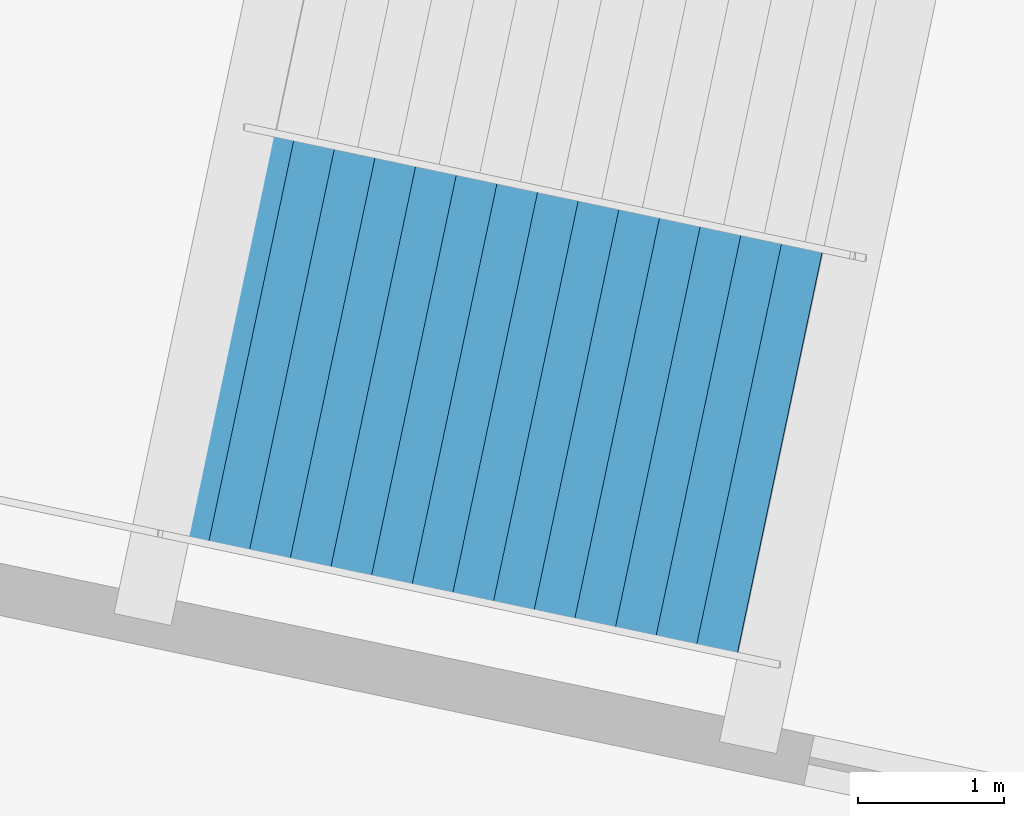
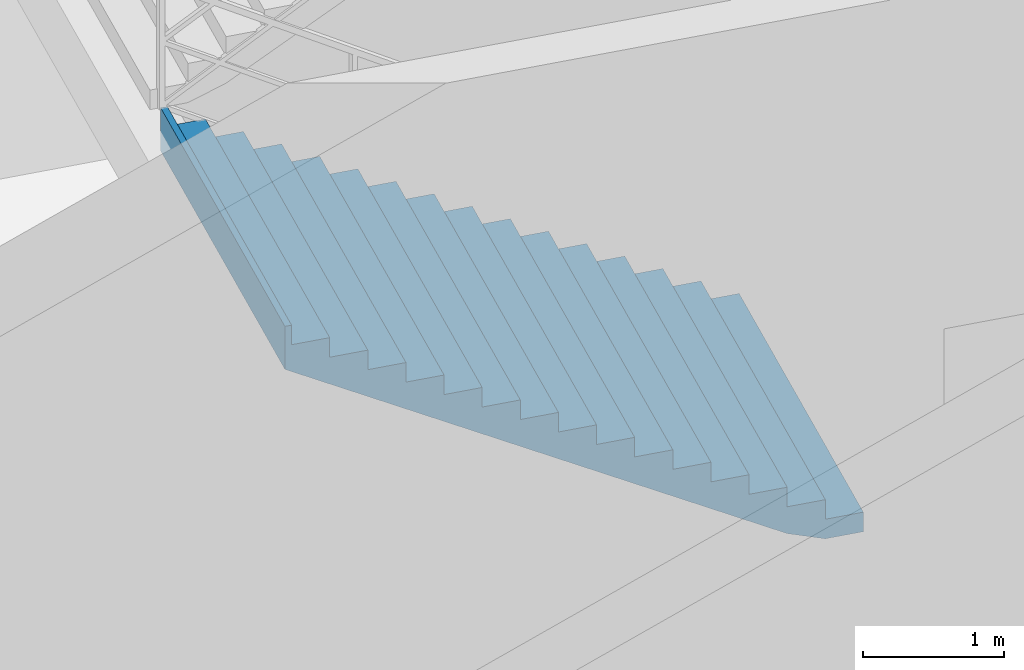
# One storey, part 41 of 49: 1 stair flight, 1 element without a shape of its own.
"""IFC4 building model written with IfcOpenShell, lengths in metres."""

from ifc_helpers import new_model, si_unit, direction, frame, origin, place, context, subcontext, project, spatial, polygons, material, type_object, element, aggregate, save


model = new_model("IFC4")

# Units and contexts
model_context = context("Model", 3, precision=1e-05, world=origin(), true_north=direction((0.0, 1.0)))
body_context = subcontext(model_context, "Body", "Model", "MODEL_VIEW")
ifc_project = project(units=[si_unit("LENGTHUNIT", "METRE"), si_unit("AREAUNIT", "SQUARE_METRE"), si_unit("VOLUMEUNIT", "CUBIC_METRE"), si_unit("PLANEANGLEUNIT", "RADIAN"), si_unit("MASSUNIT", "GRAM", prefix="KILO")], contexts=[model_context])

# Site, building, storey
site_placement = place(None, origin())
site = spatial("IfcSite", under=ifc_project, at=site_placement, CompositionType="ELEMENT")
building_placement = place(site_placement, origin())
building = spatial("IfcBuilding", under=site, at=building_placement, Name="Kazemori Nagisa Stadium", CompositionType="ELEMENT")
storey_placement = place(building_placement, frame((0.0, 0.0, -5.43994140625)))
storey = spatial("IfcBuildingStorey", under=building, at=storey_placement, Name="B1", CompositionType="ELEMENT", Elevation=-5.43994140625)

# Stair, stair flight
ifc_material = material(Name="Concrete C36/45 (Fc36)", Category="concrete")
stair_type = type_object("IfcStairType", Name="Stair_CORE_32", PredefinedType="TWO_STRAIGHT_RUN_STAIR", material=ifc_material)
stair_placement = place(storey_placement, origin())
stair = element("IfcStair", 1, at=stair_placement, inside=storey, type_object=stair_type, Name="Exit stair ST11 B1", PredefinedType="TWO_STRAIGHT_RUN_STAIR")
stair_flight_type = type_object("IfcStairFlightType", Name="Flight_CORE_16", PredefinedType="STRAIGHT", material=ifc_material)
stair_flight_placement = place(storey_placement, frame((158.251953125, 176.464111328125, 0.0), z_axis=(0.0, 0.0, 1.0), x_axis=(-0.97834814647, 0.206965949612, 0.0)))
stair_flight = element("IfcStairFlight", 2, at=stair_flight_placement, type_object=stair_flight_type, Name="Exit stair ST11 B1 flight 1", NumberOfRisers=16, NumberOfTreads=15, PredefinedType="STRAIGHT", RiserHeight=0.17, TreadLength=0.285, context=body_context, shape_type="Tessellation", body=[
    polygons([(0.0, -1.425048828125, 0.0), (0.0, -1.425048828125, 0.169921875), (0.284912109375, -1.425048828125, 0.169921875), (0.284912109375, -1.425048828125, 0.340087890625), (0.570068359375, -1.425048828125, 0.340087890625), (0.570068359375, -1.425048828125, 0.510009765625), (0.85498046875, -1.425048828125, 0.510009765625), (0.85498046875, -1.425048828125, 0.679931640625), (1.139892578125, -1.425048828125, 0.679931640625), (1.139892578125, -1.425048828125, 0.85009765625), (1.425048828125, -1.425048828125, 0.85009765625), (1.425048828125, -1.425048828125, 1.02001953125), (1.7099609375, -1.425048828125, 1.02001953125), (1.7099609375, -1.425048828125, 1.18994140625), (1.9951171875, -1.425048828125, 1.18994140625), (1.9951171875, -1.425048828125, 1.360107421875), (2.280029296875, -1.425048828125, 1.360107421875), (2.280029296875, -1.425048828125, 1.530029296875), (2.56494140625, -1.425048828125, 1.530029296875), (2.56494140625, -1.425048828125, 1.699951171875), (2.85009765625, -1.425048828125, 1.699951171875), (2.85009765625, -1.425048828125, 1.8701171875), (3.135009765625, -1.425048828125, 1.8701171875), (3.135009765625, -1.425048828125, 2.0400390625), (3.419921875, -1.425048828125, 2.0400390625), (3.419921875, -1.425048828125, 2.2099609375), (3.705078125, -1.425048828125, 2.2099609375), (3.705078125, -1.425048828125, 2.3798828125), (3.989990234375, -1.425048828125, 2.3798828125), (3.989990234375, -1.425048828125, 2.550048828125), (4.27490234375, -1.425048828125, 2.550048828125), (4.27490234375, -1.425048828125, 2.719970703125), (4.324951171875, -1.425048828125, 2.719970703125), (4.324951171875, -1.425048828125, 2.346923828125), (4.27490234375, -1.425048828125, 2.317138671875), (3.989990234375, -1.425048828125, 2.147216796875), (3.705078125, -1.425048828125, 1.977294921875), (3.419921875, -1.425048828125, 1.80712890625), (3.135009765625, -1.425048828125, 1.63720703125), (2.85009765625, -1.425048828125, 1.46728515625), (2.56494140625, -1.425048828125, 1.297119140625), (2.280029296875, -1.425048828125, 1.127197265625), (1.9951171875, -1.425048828125, 0.957275390625), (1.7099609375, -1.425048828125, 0.787109375), (1.425048828125, -1.425048828125, 0.6171875), (1.139892578125, -1.425048828125, 0.447265625), (0.85498046875, -1.425048828125, 0.277099609375), (0.570068359375, -1.425048828125, 0.107177734375), (0.284912109375, -1.425048828125, 0.0), (0.0, -0.08544921875, 0.0), (0.0, -0.08544921875, 0.169921875), (0.284912109375, -0.08544921875, 0.169921875), (0.284912109375, -0.08544921875, 0.340087890625), (0.570068359375, -0.08544921875, 0.340087890625), (0.570068359375, -0.08544921875, 0.510009765625), (0.85498046875, -0.08544921875, 0.510009765625), (0.85498046875, -0.08544921875, 0.679931640625), (1.139892578125, -0.08544921875, 0.679931640625), (1.139892578125, -0.08544921875, 0.85009765625), (1.425048828125, -0.08544921875, 0.85009765625), (1.425048828125, -0.08544921875, 1.02001953125), (1.7099609375, -0.08544921875, 1.02001953125), (1.7099609375, -0.08544921875, 1.18994140625), (1.9951171875, -0.08544921875, 1.18994140625), (1.9951171875, -0.08544921875, 1.360107421875), (2.280029296875, -0.08544921875, 1.360107421875), (2.280029296875, -0.08544921875, 1.530029296875), (2.56494140625, -0.08544921875, 1.530029296875), (2.56494140625, -0.08544921875, 1.699951171875), (2.85009765625, -0.08544921875, 1.699951171875), (2.85009765625, -0.08544921875, 1.8701171875), (3.135009765625, -0.08544921875, 1.8701171875), (3.135009765625, -0.08544921875, 2.0400390625), (3.419921875, -0.08544921875, 2.0400390625), (3.419921875, -0.08544921875, 2.2099609375), (3.705078125, -0.08544921875, 2.2099609375), (3.705078125, -0.08544921875, 2.3798828125), (3.989990234375, -0.08544921875, 2.3798828125), (3.989990234375, -0.08544921875, 2.550048828125), (4.27490234375, -0.08544921875, 2.550048828125), (4.27490234375, -0.08544921875, 2.719970703125), (4.324951171875, -0.08544921875, 2.719970703125), (4.324951171875, -0.08544921875, 2.346923828125), (4.27490234375, -0.08544921875, 2.317138671875), (3.989990234375, -0.08544921875, 2.147216796875), (3.705078125, -0.08544921875, 1.977294921875), (3.419921875, -0.08544921875, 1.80712890625), (3.135009765625, -0.08544921875, 1.63720703125), (2.85009765625, -0.08544921875, 1.46728515625), (2.56494140625, -0.08544921875, 1.297119140625), (2.280029296875, -0.08544921875, 1.127197265625), (1.9951171875, -0.08544921875, 0.957275390625), (1.7099609375, -0.08544921875, 0.787109375), (1.425048828125, -0.08544921875, 0.6171875), (1.139892578125, -0.08544921875, 0.447265625), (0.85498046875, -0.08544921875, 0.277099609375), (0.570068359375, -0.08544921875, 0.107177734375), (0.284912109375, -0.08544921875, 0.0), (0.0, 0.0, 0.0), (0.0, 0.0, 0.169921875), (0.284912109375, 0.0, 0.169921875), (0.284912109375, 0.0, 0.340087890625), (0.570068359375, 0.0, 0.340087890625), (0.570068359375, 0.0, 0.510009765625), (0.85498046875, 0.0, 0.510009765625), (0.85498046875, 0.0, 0.679931640625), (1.139892578125, 0.0, 0.679931640625), (1.139892578125, 0.0, 0.85009765625), (1.425048828125, 0.0, 0.85009765625), (1.425048828125, 0.0, 1.02001953125), (1.7099609375, 0.0, 1.02001953125), (1.7099609375, 0.0, 1.18994140625), (1.9951171875, 0.0, 1.18994140625), (1.9951171875, 0.0, 1.360107421875), (2.280029296875, 0.0, 1.360107421875), (2.280029296875, 0.0, 1.530029296875), (2.56494140625, 0.0, 1.530029296875), (2.56494140625, 0.0, 1.699951171875), (2.85009765625, 0.0, 1.699951171875), (2.85009765625, 0.0, 1.8701171875), (3.135009765625, 0.0, 1.8701171875), (3.135009765625, 0.0, 2.0400390625), (3.419921875, 0.0, 2.0400390625), (3.419921875, 0.0, 2.2099609375), (3.705078125, 0.0, 2.2099609375), (3.705078125, 0.0, 2.3798828125), (3.989990234375, 0.0, 2.3798828125), (3.989990234375, 0.0, 2.550048828125), (4.27490234375, 0.0, 2.550048828125), (4.27490234375, 0.0, 2.719970703125), (4.324951171875, 0.0, 2.719970703125), (4.324951171875, 0.0, 2.346923828125), (4.27490234375, 0.0, 2.317138671875), (3.989990234375, 0.0, 2.147216796875), (3.705078125, 0.0, 1.977294921875), (3.419921875, 0.0, 1.80712890625), (3.135009765625, 0.0, 1.63720703125), (2.85009765625, 0.0, 1.46728515625), (2.56494140625, 0.0, 1.297119140625), (2.280029296875, 0.0, 1.127197265625), (1.9951171875, 0.0, 0.957275390625), (1.7099609375, 0.0, 0.787109375), (1.425048828125, 0.0, 0.6171875), (1.139892578125, 0.0, 0.447265625), (0.85498046875, 0.0, 0.277099609375), (0.570068359375, 0.0, 0.107177734375), (0.284912109375, 0.0, 0.0), (0.0, 0.08544921875, 0.0), (0.0, 0.08544921875, 0.169921875), (0.284912109375, 0.08544921875, 0.169921875), (0.284912109375, 0.08544921875, 0.340087890625), (0.570068359375, 0.08544921875, 0.340087890625), (0.570068359375, 0.08544921875, 0.510009765625), (0.85498046875, 0.08544921875, 0.510009765625), (0.85498046875, 0.08544921875, 0.679931640625), (1.139892578125, 0.08544921875, 0.679931640625), (1.139892578125, 0.08544921875, 0.85009765625), (1.425048828125, 0.08544921875, 0.85009765625), (1.425048828125, 0.08544921875, 1.02001953125), (1.7099609375, 0.08544921875, 1.02001953125), (1.7099609375, 0.08544921875, 1.18994140625), (1.9951171875, 0.08544921875, 1.18994140625), (1.9951171875, 0.08544921875, 1.360107421875), (2.280029296875, 0.08544921875, 1.360107421875), (2.280029296875, 0.08544921875, 1.530029296875), (2.56494140625, 0.08544921875, 1.530029296875), (2.56494140625, 0.08544921875, 1.699951171875), (2.85009765625, 0.08544921875, 1.699951171875), (2.85009765625, 0.08544921875, 1.8701171875), (3.135009765625, 0.08544921875, 1.8701171875), (3.135009765625, 0.08544921875, 2.0400390625), (3.419921875, 0.08544921875, 2.0400390625), (3.419921875, 0.08544921875, 2.2099609375), (3.705078125, 0.08544921875, 2.2099609375), (3.705078125, 0.08544921875, 2.3798828125), (3.989990234375, 0.08544921875, 2.3798828125), (3.989990234375, 0.08544921875, 2.550048828125), (4.27490234375, 0.08544921875, 2.550048828125), (4.27490234375, 0.08544921875, 2.719970703125), (4.324951171875, 0.08544921875, 2.719970703125), (4.324951171875, 0.08544921875, 2.346923828125), (4.27490234375, 0.08544921875, 2.317138671875), (3.989990234375, 0.08544921875, 2.147216796875), (3.705078125, 0.08544921875, 1.977294921875), (3.419921875, 0.08544921875, 1.80712890625), (3.135009765625, 0.08544921875, 1.63720703125), (2.85009765625, 0.08544921875, 1.46728515625), (2.56494140625, 0.08544921875, 1.297119140625), (2.280029296875, 0.08544921875, 1.127197265625), (1.9951171875, 0.08544921875, 0.957275390625), (1.7099609375, 0.08544921875, 0.787109375), (1.425048828125, 0.08544921875, 0.6171875), (1.139892578125, 0.08544921875, 0.447265625), (0.85498046875, 0.08544921875, 0.277099609375), (0.570068359375, 0.08544921875, 0.107177734375), (0.284912109375, 0.08544921875, 0.0), (0.0, 1.425048828125, 0.0), (0.0, 1.425048828125, 0.169921875), (0.284912109375, 1.425048828125, 0.169921875), (0.284912109375, 1.425048828125, 0.340087890625), (0.570068359375, 1.425048828125, 0.340087890625), (0.570068359375, 1.425048828125, 0.510009765625), (0.85498046875, 1.425048828125, 0.510009765625), (0.85498046875, 1.425048828125, 0.679931640625), (1.139892578125, 1.425048828125, 0.679931640625), (1.139892578125, 1.425048828125, 0.85009765625), (1.425048828125, 1.425048828125, 0.85009765625), (1.425048828125, 1.425048828125, 1.02001953125), (1.7099609375, 1.425048828125, 1.02001953125), (1.7099609375, 1.425048828125, 1.18994140625), (1.9951171875, 1.425048828125, 1.18994140625), (1.9951171875, 1.425048828125, 1.360107421875), (2.280029296875, 1.425048828125, 1.360107421875), (2.280029296875, 1.425048828125, 1.530029296875), (2.56494140625, 1.425048828125, 1.530029296875), (2.56494140625, 1.425048828125, 1.699951171875), (2.85009765625, 1.425048828125, 1.699951171875), (2.85009765625, 1.425048828125, 1.8701171875), (3.135009765625, 1.425048828125, 1.8701171875), (3.135009765625, 1.425048828125, 2.0400390625), (3.419921875, 1.425048828125, 2.0400390625), (3.419921875, 1.425048828125, 2.2099609375), (3.705078125, 1.425048828125, 2.2099609375), (3.705078125, 1.425048828125, 2.3798828125), (3.989990234375, 1.425048828125, 2.3798828125), (3.989990234375, 1.425048828125, 2.550048828125), (4.27490234375, 1.425048828125, 2.550048828125), (4.27490234375, 1.425048828125, 2.719970703125), (4.324951171875, 1.425048828125, 2.719970703125), (4.324951171875, 1.425048828125, 2.346923828125), (4.27490234375, 1.425048828125, 2.317138671875), (3.989990234375, 1.425048828125, 2.147216796875), (3.705078125, 1.425048828125, 1.977294921875), (3.419921875, 1.425048828125, 1.80712890625), (3.135009765625, 1.425048828125, 1.63720703125), (2.85009765625, 1.425048828125, 1.46728515625), (2.56494140625, 1.425048828125, 1.297119140625), (2.280029296875, 1.425048828125, 1.127197265625), (1.9951171875, 1.425048828125, 0.957275390625), (1.7099609375, 1.425048828125, 0.787109375), (1.425048828125, 1.425048828125, 0.6171875), (1.139892578125, 1.425048828125, 0.447265625), (0.85498046875, 1.425048828125, 0.277099609375), (0.570068359375, 1.425048828125, 0.107177734375), (0.284912109375, 1.425048828125, 0.0)], [[[1, 2, 51]], [[1, 51, 50]], [[2, 3, 52]], [[2, 52, 51]], [[3, 4, 53]], [[3, 53, 52]], [[4, 5, 54]], [[4, 54, 53]], [[5, 6, 55]], [[5, 55, 54]], [[6, 7, 56]], [[6, 56, 55]], [[7, 8, 57]], [[7, 57, 56]], [[8, 9, 58]], [[8, 58, 57]], [[9, 10, 59]], [[9, 59, 58]], [[10, 11, 60]], [[10, 60, 59]], [[11, 12, 61]], [[11, 61, 60]], [[12, 13, 62]], [[12, 62, 61]], [[13, 14, 63]], [[13, 63, 62]], [[14, 15, 64]], [[14, 64, 63]], [[15, 16, 65]], [[15, 65, 64]], [[16, 17, 66]], [[16, 66, 65]], [[17, 18, 67]], [[17, 67, 66]], [[18, 19, 68]], [[18, 68, 67]], [[19, 20, 69]], [[19, 69, 68]], [[20, 21, 70]], [[20, 70, 69]], [[21, 22, 71]], [[21, 71, 70]], [[22, 23, 72]], [[22, 72, 71]], [[23, 24, 73]], [[23, 73, 72]], [[24, 25, 74]], [[24, 74, 73]], [[25, 26, 75]], [[25, 75, 74]], [[26, 27, 76]], [[26, 76, 75]], [[27, 28, 77]], [[27, 77, 76]], [[28, 29, 78]], [[28, 78, 77]], [[29, 30, 79]], [[29, 79, 78]], [[30, 31, 80]], [[30, 80, 79]], [[31, 32, 81]], [[31, 81, 80]], [[32, 33, 82]], [[32, 82, 81]], [[33, 34, 83]], [[33, 83, 82]], [[34, 35, 84]], [[34, 84, 83]], [[35, 36, 85]], [[35, 85, 84]], [[36, 37, 86]], [[36, 86, 85]], [[37, 38, 87]], [[37, 87, 86]], [[38, 39, 88]], [[38, 88, 87]], [[39, 40, 89]], [[39, 89, 88]], [[40, 41, 90]], [[40, 90, 89]], [[41, 42, 91]], [[41, 91, 90]], [[42, 43, 92]], [[42, 92, 91]], [[43, 44, 93]], [[43, 93, 92]], [[44, 45, 94]], [[44, 94, 93]], [[45, 46, 95]], [[45, 95, 94]], [[46, 47, 96]], [[46, 96, 95]], [[47, 48, 97]], [[47, 97, 96]], [[48, 49, 98]], [[48, 98, 97]], [[49, 1, 50]], [[49, 50, 98]], [[50, 51, 100]], [[50, 100, 99]], [[51, 52, 101]], [[51, 101, 100]], [[52, 53, 102]], [[52, 102, 101]], [[53, 54, 103]], [[53, 103, 102]], [[54, 55, 104]], [[54, 104, 103]], [[55, 56, 105]], [[55, 105, 104]], [[56, 57, 106]], [[56, 106, 105]], [[57, 58, 107]], [[57, 107, 106]], [[58, 59, 108]], [[58, 108, 107]], [[59, 60, 109]], [[59, 109, 108]], [[60, 61, 110]], [[60, 110, 109]], [[61, 62, 111]], [[61, 111, 110]], [[62, 63, 112]], [[62, 112, 111]], [[63, 64, 113]], [[63, 113, 112]], [[64, 65, 114]], [[64, 114, 113]], [[65, 66, 115]], [[65, 115, 114]], [[66, 67, 116]], [[66, 116, 115]], [[67, 68, 117]], [[67, 117, 116]], [[68, 69, 118]], [[68, 118, 117]], [[69, 70, 119]], [[69, 119, 118]], [[70, 71, 120]], [[70, 120, 119]], [[71, 72, 121]], [[71, 121, 120]], [[72, 73, 122]], [[72, 122, 121]], [[73, 74, 123]], [[73, 123, 122]], [[74, 75, 124]], [[74, 124, 123]], [[75, 76, 125]], [[75, 125, 124]], [[76, 77, 126]], [[76, 126, 125]], [[77, 78, 127]], [[77, 127, 126]], [[78, 79, 128]], [[78, 128, 127]], [[79, 80, 129]], [[79, 129, 128]], [[80, 81, 130]], [[80, 130, 129]], [[81, 82, 131]], [[81, 131, 130]], [[82, 83, 132]], [[82, 132, 131]], [[83, 84, 133]], [[83, 133, 132]], [[84, 85, 134]], [[84, 134, 133]], [[85, 86, 135]], [[85, 135, 134]], [[86, 87, 136]], [[86, 136, 135]], [[87, 88, 137]], [[87, 137, 136]], [[88, 89, 138]], [[88, 138, 137]], [[89, 90, 139]], [[89, 139, 138]], [[90, 91, 140]], [[90, 140, 139]], [[91, 92, 141]], [[91, 141, 140]], [[92, 93, 142]], [[92, 142, 141]], [[93, 94, 143]], [[93, 143, 142]], [[94, 95, 144]], [[94, 144, 143]], [[95, 96, 145]], [[95, 145, 144]], [[96, 97, 146]], [[96, 146, 145]], [[97, 98, 147]], [[97, 147, 146]], [[98, 50, 99]], [[98, 99, 147]], [[99, 100, 149]], [[99, 149, 148]], [[100, 101, 150]], [[100, 150, 149]], [[101, 102, 151]], [[101, 151, 150]], [[102, 103, 152]], [[102, 152, 151]], [[103, 104, 153]], [[103, 153, 152]], [[104, 105, 154]], [[104, 154, 153]], [[105, 106, 155]], [[105, 155, 154]], [[106, 107, 156]], [[106, 156, 155]], [[107, 108, 157]], [[107, 157, 156]], [[108, 109, 158]], [[108, 158, 157]], [[109, 110, 159]], [[109, 159, 158]], [[110, 111, 160]], [[110, 160, 159]], [[111, 112, 161]], [[111, 161, 160]], [[112, 113, 162]], [[112, 162, 161]], [[113, 114, 163]], [[113, 163, 162]], [[114, 115, 164]], [[114, 164, 163]], [[115, 116, 165]], [[115, 165, 164]], [[116, 117, 166]], [[116, 166, 165]], [[117, 118, 167]], [[117, 167, 166]], [[118, 119, 168]], [[118, 168, 167]], [[119, 120, 169]], [[119, 169, 168]], [[120, 121, 170]], [[120, 170, 169]], [[121, 122, 171]], [[121, 171, 170]], [[122, 123, 172]], [[122, 172, 171]], [[123, 124, 173]], [[123, 173, 172]], [[124, 125, 174]], [[124, 174, 173]], [[125, 126, 175]], [[125, 175, 174]], [[126, 127, 176]], [[126, 176, 175]], [[127, 128, 177]], [[127, 177, 176]], [[128, 129, 178]], [[128, 178, 177]], [[129, 130, 179]], [[129, 179, 178]], [[130, 131, 180]], [[130, 180, 179]], [[131, 132, 181]], [[131, 181, 180]], [[132, 133, 182]], [[132, 182, 181]], [[133, 134, 183]], [[133, 183, 182]], [[134, 135, 184]], [[134, 184, 183]], [[135, 136, 185]], [[135, 185, 184]], [[136, 137, 186]], [[136, 186, 185]], [[137, 138, 187]], [[137, 187, 186]], [[138, 139, 188]], [[138, 188, 187]], [[139, 140, 189]], [[139, 189, 188]], [[140, 141, 190]], [[140, 190, 189]], [[141, 142, 191]], [[141, 191, 190]], [[142, 143, 192]], [[142, 192, 191]], [[143, 144, 193]], [[143, 193, 192]], [[144, 145, 194]], [[144, 194, 193]], [[145, 146, 195]], [[145, 195, 194]], [[146, 147, 196]], [[146, 196, 195]], [[147, 99, 148]], [[147, 148, 196]], [[148, 149, 198]], [[148, 198, 197]], [[149, 150, 199]], [[149, 199, 198]], [[150, 151, 200]], [[150, 200, 199]], [[151, 152, 201]], [[151, 201, 200]], [[152, 153, 202]], [[152, 202, 201]], [[153, 154, 203]], [[153, 203, 202]], [[154, 155, 204]], [[154, 204, 203]], [[155, 156, 205]], [[155, 205, 204]], [[156, 157, 206]], [[156, 206, 205]], [[157, 158, 207]], [[157, 207, 206]], [[158, 159, 208]], [[158, 208, 207]], [[159, 160, 209]], [[159, 209, 208]], [[160, 161, 210]], [[160, 210, 209]], [[161, 162, 211]], [[161, 211, 210]], [[162, 163, 212]], [[162, 212, 211]], [[163, 164, 213]], [[163, 213, 212]], [[164, 165, 214]], [[164, 214, 213]], [[165, 166, 215]], [[165, 215, 214]], [[166, 167, 216]], [[166, 216, 215]], [[167, 168, 217]], [[167, 217, 216]], [[168, 169, 218]], [[168, 218, 217]], [[169, 170, 219]], [[169, 219, 218]], [[170, 171, 220]], [[170, 220, 219]], [[171, 172, 221]], [[171, 221, 220]], [[172, 173, 222]], [[172, 222, 221]], [[173, 174, 223]], [[173, 223, 222]], [[174, 175, 224]], [[174, 224, 223]], [[175, 176, 225]], [[175, 225, 224]], [[176, 177, 226]], [[176, 226, 225]], [[177, 178, 227]], [[177, 227, 226]], [[178, 179, 228]], [[178, 228, 227]], [[179, 180, 229]], [[179, 229, 228]], [[180, 181, 230]], [[180, 230, 229]], [[181, 182, 231]], [[181, 231, 230]], [[182, 183, 232]], [[182, 232, 231]], [[183, 184, 233]], [[183, 233, 232]], [[184, 185, 234]], [[184, 234, 233]], [[185, 186, 235]], [[185, 235, 234]], [[186, 187, 236]], [[186, 236, 235]], [[187, 188, 237]], [[187, 237, 236]], [[188, 189, 238]], [[188, 238, 237]], [[189, 190, 239]], [[189, 239, 238]], [[190, 191, 240]], [[190, 240, 239]], [[191, 192, 241]], [[191, 241, 240]], [[192, 193, 242]], [[192, 242, 241]], [[193, 194, 243]], [[193, 243, 242]], [[194, 195, 244]], [[194, 244, 243]], [[195, 196, 245]], [[195, 245, 244]], [[196, 148, 197]], [[196, 197, 245]], [[3, 2, 1]], [[197, 198, 199]], [[49, 3, 1]], [[197, 199, 245]], [[48, 3, 49]], [[245, 199, 244]], [[5, 3, 48]], [[244, 199, 201]], [[5, 4, 3]], [[199, 200, 201]], [[47, 5, 48]], [[244, 201, 243]], [[7, 5, 47]], [[243, 201, 203]], [[7, 6, 5]], [[201, 202, 203]], [[46, 7, 47]], [[243, 203, 242]], [[9, 7, 46]], [[242, 203, 205]], [[9, 8, 7]], [[203, 204, 205]], [[45, 9, 46]], [[242, 205, 241]], [[11, 9, 45]], [[241, 205, 207]], [[11, 10, 9]], [[205, 206, 207]], [[44, 11, 45]], [[241, 207, 240]], [[13, 11, 44]], [[240, 207, 209]], [[13, 12, 11]], [[207, 208, 209]], [[43, 13, 44]], [[240, 209, 239]], [[15, 13, 43]], [[239, 209, 211]], [[15, 14, 13]], [[209, 210, 211]], [[42, 15, 43]], [[239, 211, 238]], [[17, 15, 42]], [[238, 211, 213]], [[17, 16, 15]], [[211, 212, 213]], [[41, 17, 42]], [[238, 213, 237]], [[19, 17, 41]], [[237, 213, 215]], [[19, 18, 17]], [[213, 214, 215]], [[40, 19, 41]], [[237, 215, 236]], [[21, 19, 40]], [[236, 215, 217]], [[21, 20, 19]], [[215, 216, 217]], [[39, 21, 40]], [[236, 217, 235]], [[23, 21, 39]], [[235, 217, 219]], [[23, 22, 21]], [[217, 218, 219]], [[38, 23, 39]], [[235, 219, 234]], [[25, 23, 38]], [[234, 219, 221]], [[25, 24, 23]], [[219, 220, 221]], [[37, 25, 38]], [[234, 221, 233]], [[27, 25, 37]], [[233, 221, 223]], [[27, 26, 25]], [[221, 222, 223]], [[36, 27, 37]], [[233, 223, 232]], [[29, 27, 36]], [[232, 223, 225]], [[29, 28, 27]], [[223, 224, 225]], [[35, 29, 36]], [[232, 225, 231]], [[31, 29, 35]], [[231, 225, 227]], [[31, 30, 29]], [[225, 226, 227]], [[34, 31, 35]], [[231, 227, 230]], [[33, 31, 34]], [[230, 227, 229]], [[33, 32, 31]], [[227, 228, 229]]], closed=True),
])
aggregate(stair, [stair_flight])

save(model, "model.ifc")
